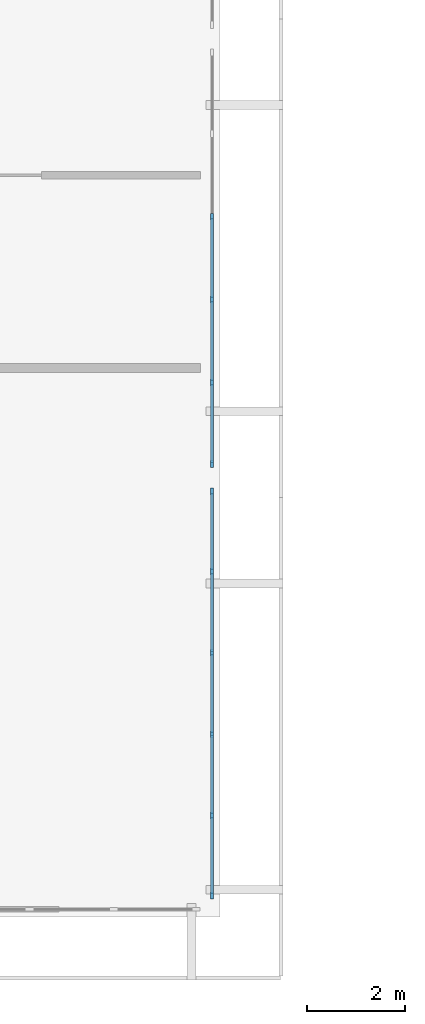
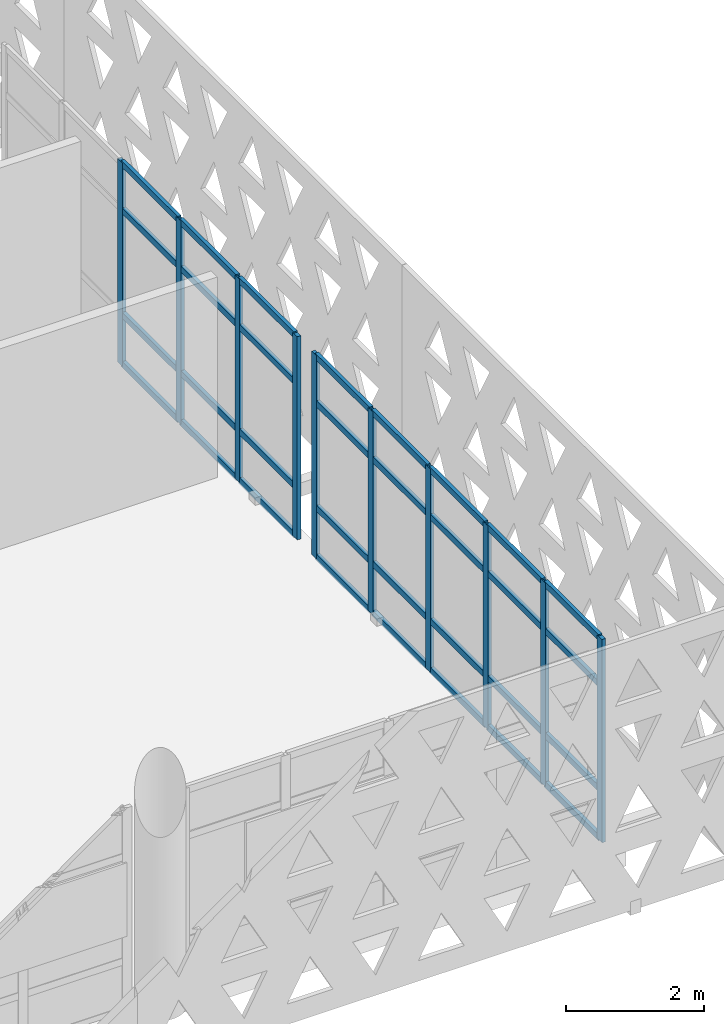
# One storey, part 14 of 33: 42 members, 2 elements without a shape of their own.
"""IFC4 building model written with IfcOpenShell, lengths in metres."""

from ifc_helpers import new_model, si_unit, direction, frame, origin, origin_2d, place, context, subcontext, project, spatial, rectangle, extrude, material, layer, layer_set, material_profile, profile_set, type_object, element, aggregate, save


model = new_model("IFC4")

# Units and contexts
model_context = context("Model", 3, precision=1e-05, world=origin(), true_north=direction((0.0, 1.0)))
body_context = subcontext(model_context, "Body", "Model", "MODEL_VIEW")
ifc_project = project(units=[si_unit("LENGTHUNIT", "METRE"), si_unit("AREAUNIT", "SQUARE_METRE"), si_unit("VOLUMEUNIT", "CUBIC_METRE"), si_unit("PLANEANGLEUNIT", "RADIAN"), si_unit("MASSUNIT", "GRAM", prefix="KILO")], contexts=[model_context])

# Site, building, storey
site_placement = place(None, origin())
site = spatial("IfcSite", under=ifc_project, at=site_placement, CompositionType="ELEMENT")
building_placement = place(site_placement, origin())
building = spatial("IfcBuilding", under=site, at=building_placement, Name="Tlacozan Convention Centre", CompositionType="ELEMENT")
storey_placement = place(building_placement, frame((0.0, 0.0, 16.199951171875)))
storey = spatial("IfcBuildingStorey", under=building, at=storey_placement, Name="L03", CompositionType="ELEMENT", Elevation=16.199951171875)

# Curtain wall, members
ifc_material = material(Name="Dark Bronze Anodised Aluminium", Category="aluminium")
ifc_layer = layer(ifc_material, 0.159912109375)
ifc_layer_set = layer_set([ifc_layer], Name="Dark Bronze Anodised Aluminium")
curtain_wall_type = type_object("IfcCurtainWallType", Name="Unitised Congress Gable End CW06", PredefinedType="NOTDEFINED", material=ifc_layer_set)
curtain_wall_1_placement = place(storey_placement, origin())
curtain_wall_1 = element("IfcCurtainWall", 1, at=curtain_wall_1_placement, inside=storey, type_object=curtain_wall_type, Name="L03 CW-06 Run 119", PredefinedType="NOTDEFINED")
ifc_material_profile_1 = material_profile(ifc_material, rectangle(XDim=0.06005859375, YDim=0.139892578125, at=origin_2d()), Name="ALU 60x140")
ifc_profile_set_1 = profile_set([ifc_material_profile_1], Name="Dark Bronze Anodised Aluminium")
member_type_1 = type_object("IfcMemberType", Name="Curtain Wall Light Mullion 60x140", PredefinedType="MULLION", material=ifc_profile_set_1)
member_1_placement = place(storey_placement, frame((119.639892578125, 0.43994140625, 0.0), z_axis=(0.0, 0.0, 1.0), x_axis=(-1.0, 0.0, 0.0)))
member_1 = element("IfcMember", 2, at=member_1_placement, type_object=member_type_1, Name="CW-06 mullion 1", PredefinedType="MULLION", context=body_context, shape_type="SweptSolid", body=[
    extrude(rectangle(XDim=0.06005859375, YDim=0.139892578125, at=origin_2d()), origin(), (0.0, 0.0, 1.0), 3.60009765625),
])
member_2_placement = place(storey_placement, frame((119.639892578125, 2.077880859375, 0.0), z_axis=(0.0, 0.0, 1.0), x_axis=(-1.0, 0.0, 0.0)))
member_2 = element("IfcMember", 3, at=member_2_placement, type_object=member_type_1, Name="CW-06 mullion 2", PredefinedType="MULLION", context=body_context, shape_type="SweptSolid", body=[
    extrude(rectangle(XDim=0.06005859375, YDim=0.139892578125, at=origin_2d()), origin(), (0.0, 0.0, 1.0), 3.60009765625),
])
member_3_placement = place(storey_placement, frame((119.639892578125, 3.74609375, 0.0), z_axis=(0.0, 0.0, 1.0), x_axis=(-1.0, 0.0, 0.0)))
member_3 = element("IfcMember", 4, at=member_3_placement, type_object=member_type_1, Name="CW-06 mullion 3", PredefinedType="MULLION", context=body_context, shape_type="SweptSolid", body=[
    extrude(rectangle(XDim=0.06005859375, YDim=0.139892578125, at=origin_2d()), origin(), (0.0, 0.0, 1.0), 3.60009765625),
])
member_4_placement = place(storey_placement, frame((119.639892578125, 5.4140625, 0.0), z_axis=(0.0, 0.0, 1.0), x_axis=(-1.0, 0.0, 0.0)))
member_4 = element("IfcMember", 5, at=member_4_placement, type_object=member_type_1, Name="CW-06 mullion 4", PredefinedType="MULLION", context=body_context, shape_type="SweptSolid", body=[
    extrude(rectangle(XDim=0.06005859375, YDim=0.139892578125, at=origin_2d()), origin(), (0.0, 0.0, 1.0), 3.60009765625),
])
member_5_placement = place(storey_placement, frame((119.639892578125, 7.08203125, 0.0), z_axis=(0.0, 0.0, 1.0), x_axis=(-1.0, 0.0, 0.0)))
member_5 = element("IfcMember", 6, at=member_5_placement, type_object=member_type_1, Name="CW-06 mullion 5", PredefinedType="MULLION", context=body_context, shape_type="SweptSolid", body=[
    extrude(rectangle(XDim=0.06005859375, YDim=0.139892578125, at=origin_2d()), origin(), (0.0, 0.0, 1.0), 3.60009765625),
])
member_6_placement = place(storey_placement, frame((119.639892578125, 8.719970703125, 0.0), z_axis=(0.0, 0.0, 1.0), x_axis=(-1.0, 0.0, 0.0)))
member_6 = element("IfcMember", 7, at=member_6_placement, type_object=member_type_1, Name="CW-06 mullion 6", PredefinedType="MULLION", context=body_context, shape_type="SweptSolid", body=[
    extrude(rectangle(XDim=0.06005859375, YDim=0.139892578125, at=origin_2d()), origin(), (0.0, 0.0, 1.0), 3.60009765625),
])

curtain_wall_2_placement = place(storey_placement, origin())
curtain_wall_2 = element("IfcCurtainWall", 8, at=curtain_wall_2_placement, inside=storey, type_object=curtain_wall_type, Name="L03 CW-06 Run 121", PredefinedType="NOTDEFINED")
member_7_placement = place(storey_placement, frame((119.639892578125, 9.280029296875, 0.0), z_axis=(0.0, 0.0, 1.0), x_axis=(-1.0, 0.0, 0.0)))
member_7 = element("IfcMember", 9, at=member_7_placement, type_object=member_type_1, Name="CW-06 mullion 1", PredefinedType="MULLION", context=body_context, shape_type="SweptSolid", body=[
    extrude(rectangle(XDim=0.06005859375, YDim=0.139892578125, at=origin_2d()), origin(), (0.0, 0.0, 1.0), 3.60009765625),
])
member_8_placement = place(storey_placement, frame((119.639892578125, 10.949951171875, 0.0), z_axis=(0.0, 0.0, 1.0), x_axis=(-1.0, 0.0, 0.0)))
member_8 = element("IfcMember", 10, at=member_8_placement, type_object=member_type_1, Name="CW-06 mullion 2", PredefinedType="MULLION", context=body_context, shape_type="SweptSolid", body=[
    extrude(rectangle(XDim=0.06005859375, YDim=0.139892578125, at=origin_2d()), origin(), (0.0, 0.0, 1.0), 3.60009765625),
])
member_9_placement = place(storey_placement, frame((119.639892578125, 12.64990234375, 0.0), z_axis=(0.0, 0.0, 1.0), x_axis=(-1.0, 0.0, 0.0)))
member_9 = element("IfcMember", 11, at=member_9_placement, type_object=member_type_1, Name="CW-06 mullion 3", PredefinedType="MULLION", context=body_context, shape_type="SweptSolid", body=[
    extrude(rectangle(XDim=0.06005859375, YDim=0.139892578125, at=origin_2d()), origin(), (0.0, 0.0, 1.0), 3.60009765625),
])
member_10_placement = place(storey_placement, frame((119.639892578125, 14.35009765625, 0.0), z_axis=(0.0, 0.0, 1.0), x_axis=(-1.0, 0.0, 0.0)))
member_10 = element("IfcMember", 12, at=member_10_placement, type_object=member_type_1, Name="CW-06 mullion 4", PredefinedType="MULLION", context=body_context, shape_type="SweptSolid", body=[
    extrude(rectangle(XDim=0.06005859375, YDim=0.139892578125, at=origin_2d()), origin(), (0.0, 0.0, 1.0), 3.60009765625),
])

# Member
ifc_material_profile_2 = material_profile(ifc_material, rectangle(XDim=0.06005859375, YDim=0.110107421875, at=origin_2d()), Name="ALU 60x110")
ifc_profile_set_2 = profile_set([ifc_material_profile_2], Name="Dark Bronze Anodised Aluminium")
member_type_2 = type_object("IfcMemberType", Name="Curtain Wall Light Transom 60x110", PredefinedType="USERDEFINED", material=ifc_profile_set_2)
member_11_placement = place(storey_placement, frame((119.639892578125, 0.469970703125, 0.030029296875), z_axis=(0.0, 1.0, 0.0), x_axis=(-1.0, 0.0, 0.0)))
member_11 = element("IfcMember", 13, at=member_11_placement, type_object=member_type_2, Name="CW-06 transom 1.1", ObjectType="TRANSOM", PredefinedType="USERDEFINED", context=body_context, shape_type="SweptSolid", body=[
    extrude(rectangle(XDim=0.06005859375, YDim=0.110107421875, at=origin_2d()), origin(), (0.0, 0.0, 1.0), 1.578125),
])

member_12_placement = place(storey_placement, frame((119.639892578125, 0.469970703125, 0.900146484375), z_axis=(0.0, 1.0, 0.0), x_axis=(-1.0, 0.0, 0.0)))
member_12 = element("IfcMember", 14, at=member_12_placement, type_object=member_type_2, Name="CW-06 transom 1.2", ObjectType="TRANSOM", PredefinedType="USERDEFINED", context=body_context, shape_type="SweptSolid", body=[
    extrude(rectangle(XDim=0.06005859375, YDim=0.110107421875, at=origin_2d()), origin(), (0.0, 0.0, 1.0), 1.578125),
])

member_13_placement = place(storey_placement, frame((119.639892578125, 0.469970703125, 2.75), z_axis=(0.0, 1.0, 0.0), x_axis=(-1.0, 0.0, 0.0)))
member_13 = element("IfcMember", 15, at=member_13_placement, type_object=member_type_2, Name="CW-06 transom 1.3", ObjectType="TRANSOM", PredefinedType="USERDEFINED", context=body_context, shape_type="SweptSolid", body=[
    extrude(rectangle(XDim=0.06005859375, YDim=0.110107421875, at=origin_2d()), origin(), (0.0, 0.0, 1.0), 1.578125),
])

member_14_placement = place(storey_placement, frame((119.639892578125, 0.469970703125, 3.570068359375), z_axis=(0.0, 1.0, 0.0), x_axis=(-1.0, 0.0, 0.0)))
member_14 = element("IfcMember", 16, at=member_14_placement, type_object=member_type_2, Name="CW-06 transom 1.4", ObjectType="TRANSOM", PredefinedType="USERDEFINED", context=body_context, shape_type="SweptSolid", body=[
    extrude(rectangle(XDim=0.06005859375, YDim=0.110107421875, at=origin_2d()), origin(), (0.0, 0.0, 1.0), 1.578125),
])

member_15_placement = place(storey_placement, frame((119.639892578125, 2.10791015625, 0.030029296875), z_axis=(0.0, 1.0, 0.0), x_axis=(-1.0, 0.0, 0.0)))
member_15 = element("IfcMember", 17, at=member_15_placement, type_object=member_type_2, Name="CW-06 transom 2.1", ObjectType="TRANSOM", PredefinedType="USERDEFINED", context=body_context, shape_type="SweptSolid", body=[
    extrude(rectangle(XDim=0.06005859375, YDim=0.110107421875, at=origin_2d()), origin(), (0.0, 0.0, 1.0), 1.608154296875),
])

member_16_placement = place(storey_placement, frame((119.639892578125, 2.10791015625, 0.900146484375), z_axis=(0.0, 1.0, 0.0), x_axis=(-1.0, 0.0, 0.0)))
member_16 = element("IfcMember", 18, at=member_16_placement, type_object=member_type_2, Name="CW-06 transom 2.2", ObjectType="TRANSOM", PredefinedType="USERDEFINED", context=body_context, shape_type="SweptSolid", body=[
    extrude(rectangle(XDim=0.06005859375, YDim=0.110107421875, at=origin_2d()), origin(), (0.0, 0.0, 1.0), 1.608154296875),
])

member_17_placement = place(storey_placement, frame((119.639892578125, 2.10791015625, 2.75), z_axis=(0.0, 1.0, 0.0), x_axis=(-1.0, 0.0, 0.0)))
member_17 = element("IfcMember", 19, at=member_17_placement, type_object=member_type_2, Name="CW-06 transom 2.3", ObjectType="TRANSOM", PredefinedType="USERDEFINED", context=body_context, shape_type="SweptSolid", body=[
    extrude(rectangle(XDim=0.06005859375, YDim=0.110107421875, at=origin_2d()), origin(), (0.0, 0.0, 1.0), 1.608154296875),
])

member_18_placement = place(storey_placement, frame((119.639892578125, 2.10791015625, 3.570068359375), z_axis=(0.0, 1.0, 0.0), x_axis=(-1.0, 0.0, 0.0)))
member_18 = element("IfcMember", 20, at=member_18_placement, type_object=member_type_2, Name="CW-06 transom 2.4", ObjectType="TRANSOM", PredefinedType="USERDEFINED", context=body_context, shape_type="SweptSolid", body=[
    extrude(rectangle(XDim=0.06005859375, YDim=0.110107421875, at=origin_2d()), origin(), (0.0, 0.0, 1.0), 1.608154296875),
])

member_19_placement = place(storey_placement, frame((119.639892578125, 3.77587890625, 0.030029296875), z_axis=(0.0, 1.0, 0.0), x_axis=(-1.0, 0.0, 0.0)))
member_19 = element("IfcMember", 21, at=member_19_placement, type_object=member_type_2, Name="CW-06 transom 3.1", ObjectType="TRANSOM", PredefinedType="USERDEFINED", context=body_context, shape_type="SweptSolid", body=[
    extrude(rectangle(XDim=0.06005859375, YDim=0.110107421875, at=origin_2d()), origin(), (0.0, 0.0, 1.0), 1.608154296875),
])

member_20_placement = place(storey_placement, frame((119.639892578125, 3.77587890625, 0.900146484375), z_axis=(0.0, 1.0, 0.0), x_axis=(-1.0, 0.0, 0.0)))
member_20 = element("IfcMember", 22, at=member_20_placement, type_object=member_type_2, Name="CW-06 transom 3.2", ObjectType="TRANSOM", PredefinedType="USERDEFINED", context=body_context, shape_type="SweptSolid", body=[
    extrude(rectangle(XDim=0.06005859375, YDim=0.110107421875, at=origin_2d()), origin(), (0.0, 0.0, 1.0), 1.608154296875),
])

member_21_placement = place(storey_placement, frame((119.639892578125, 3.77587890625, 2.75), z_axis=(0.0, 1.0, 0.0), x_axis=(-1.0, 0.0, 0.0)))
member_21 = element("IfcMember", 23, at=member_21_placement, type_object=member_type_2, Name="CW-06 transom 3.3", ObjectType="TRANSOM", PredefinedType="USERDEFINED", context=body_context, shape_type="SweptSolid", body=[
    extrude(rectangle(XDim=0.06005859375, YDim=0.110107421875, at=origin_2d()), origin(), (0.0, 0.0, 1.0), 1.608154296875),
])

member_22_placement = place(storey_placement, frame((119.639892578125, 3.77587890625, 3.570068359375), z_axis=(0.0, 1.0, 0.0), x_axis=(-1.0, 0.0, 0.0)))
member_22 = element("IfcMember", 24, at=member_22_placement, type_object=member_type_2, Name="CW-06 transom 3.4", ObjectType="TRANSOM", PredefinedType="USERDEFINED", context=body_context, shape_type="SweptSolid", body=[
    extrude(rectangle(XDim=0.06005859375, YDim=0.110107421875, at=origin_2d()), origin(), (0.0, 0.0, 1.0), 1.608154296875),
])

member_23_placement = place(storey_placement, frame((119.639892578125, 5.444091796875, 0.030029296875), z_axis=(0.0, 1.0, 0.0), x_axis=(-1.0, 0.0, 0.0)))
member_23 = element("IfcMember", 25, at=member_23_placement, type_object=member_type_2, Name="CW-06 transom 4.1", ObjectType="TRANSOM", PredefinedType="USERDEFINED", context=body_context, shape_type="SweptSolid", body=[
    extrude(rectangle(XDim=0.06005859375, YDim=0.110107421875, at=origin_2d()), origin(), (0.0, 0.0, 1.0), 1.60791015625),
])

member_24_placement = place(storey_placement, frame((119.639892578125, 5.444091796875, 0.900146484375), z_axis=(0.0, 1.0, 0.0), x_axis=(-1.0, 0.0, 0.0)))
member_24 = element("IfcMember", 26, at=member_24_placement, type_object=member_type_2, Name="CW-06 transom 4.2", ObjectType="TRANSOM", PredefinedType="USERDEFINED", context=body_context, shape_type="SweptSolid", body=[
    extrude(rectangle(XDim=0.06005859375, YDim=0.110107421875, at=origin_2d()), origin(), (0.0, 0.0, 1.0), 1.60791015625),
])

member_25_placement = place(storey_placement, frame((119.639892578125, 5.444091796875, 2.75), z_axis=(0.0, 1.0, 0.0), x_axis=(-1.0, 0.0, 0.0)))
member_25 = element("IfcMember", 27, at=member_25_placement, type_object=member_type_2, Name="CW-06 transom 4.3", ObjectType="TRANSOM", PredefinedType="USERDEFINED", context=body_context, shape_type="SweptSolid", body=[
    extrude(rectangle(XDim=0.06005859375, YDim=0.110107421875, at=origin_2d()), origin(), (0.0, 0.0, 1.0), 1.60791015625),
])

member_26_placement = place(storey_placement, frame((119.639892578125, 5.444091796875, 3.570068359375), z_axis=(0.0, 1.0, 0.0), x_axis=(-1.0, 0.0, 0.0)))
member_26 = element("IfcMember", 28, at=member_26_placement, type_object=member_type_2, Name="CW-06 transom 4.4", ObjectType="TRANSOM", PredefinedType="USERDEFINED", context=body_context, shape_type="SweptSolid", body=[
    extrude(rectangle(XDim=0.06005859375, YDim=0.110107421875, at=origin_2d()), origin(), (0.0, 0.0, 1.0), 1.60791015625),
])

member_27_placement = place(storey_placement, frame((119.639892578125, 7.112060546875, 0.030029296875), z_axis=(0.0, 1.0, 0.0), x_axis=(-1.0, 0.0, 0.0)))
member_27 = element("IfcMember", 29, at=member_27_placement, type_object=member_type_2, Name="CW-06 transom 5.1", ObjectType="TRANSOM", PredefinedType="USERDEFINED", context=body_context, shape_type="SweptSolid", body=[
    extrude(rectangle(XDim=0.06005859375, YDim=0.110107421875, at=origin_2d()), origin(), (0.0, 0.0, 1.0), 1.577880859375),
])

member_28_placement = place(storey_placement, frame((119.639892578125, 7.112060546875, 0.900146484375), z_axis=(0.0, 1.0, 0.0), x_axis=(-1.0, 0.0, 0.0)))
member_28 = element("IfcMember", 30, at=member_28_placement, type_object=member_type_2, Name="CW-06 transom 5.2", ObjectType="TRANSOM", PredefinedType="USERDEFINED", context=body_context, shape_type="SweptSolid", body=[
    extrude(rectangle(XDim=0.06005859375, YDim=0.110107421875, at=origin_2d()), origin(), (0.0, 0.0, 1.0), 1.577880859375),
])

member_29_placement = place(storey_placement, frame((119.639892578125, 7.112060546875, 2.75), z_axis=(0.0, 1.0, 0.0), x_axis=(-1.0, 0.0, 0.0)))
member_29 = element("IfcMember", 31, at=member_29_placement, type_object=member_type_2, Name="CW-06 transom 5.3", ObjectType="TRANSOM", PredefinedType="USERDEFINED", context=body_context, shape_type="SweptSolid", body=[
    extrude(rectangle(XDim=0.06005859375, YDim=0.110107421875, at=origin_2d()), origin(), (0.0, 0.0, 1.0), 1.577880859375),
])

member_30_placement = place(storey_placement, frame((119.639892578125, 7.112060546875, 3.570068359375), z_axis=(0.0, 1.0, 0.0), x_axis=(-1.0, 0.0, 0.0)))
member_30 = element("IfcMember", 32, at=member_30_placement, type_object=member_type_2, Name="CW-06 transom 5.4", ObjectType="TRANSOM", PredefinedType="USERDEFINED", context=body_context, shape_type="SweptSolid", body=[
    extrude(rectangle(XDim=0.06005859375, YDim=0.110107421875, at=origin_2d()), origin(), (0.0, 0.0, 1.0), 1.577880859375),
])

aggregate(curtain_wall_1, [member_1, member_2, member_3, member_4, member_5, member_6, member_11, member_12, member_13, member_14, member_15, member_16, member_17, member_18, member_19, member_20, member_21, member_22, member_23, member_24, member_25, member_26, member_27, member_28, member_29, member_30])

member_31_placement = place(storey_placement, frame((119.639892578125, 9.31005859375, 0.030029296875), z_axis=(0.0, 1.0, 0.0), x_axis=(-1.0, 0.0, 0.0)))
member_31 = element("IfcMember", 33, at=member_31_placement, type_object=member_type_2, Name="CW-06 transom 1.1", ObjectType="TRANSOM", PredefinedType="USERDEFINED", context=body_context, shape_type="SweptSolid", body=[
    extrude(rectangle(XDim=0.06005859375, YDim=0.110107421875, at=origin_2d()), origin(), (0.0, 0.0, 1.0), 1.60986328125),
])

member_32_placement = place(storey_placement, frame((119.639892578125, 9.31005859375, 0.900146484375), z_axis=(0.0, 1.0, 0.0), x_axis=(-1.0, 0.0, 0.0)))
member_32 = element("IfcMember", 34, at=member_32_placement, type_object=member_type_2, Name="CW-06 transom 1.2", ObjectType="TRANSOM", PredefinedType="USERDEFINED", context=body_context, shape_type="SweptSolid", body=[
    extrude(rectangle(XDim=0.06005859375, YDim=0.110107421875, at=origin_2d()), origin(), (0.0, 0.0, 1.0), 1.60986328125),
])

member_33_placement = place(storey_placement, frame((119.639892578125, 9.31005859375, 2.75), z_axis=(0.0, 1.0, 0.0), x_axis=(-1.0, 0.0, 0.0)))
member_33 = element("IfcMember", 35, at=member_33_placement, type_object=member_type_2, Name="CW-06 transom 1.3", ObjectType="TRANSOM", PredefinedType="USERDEFINED", context=body_context, shape_type="SweptSolid", body=[
    extrude(rectangle(XDim=0.06005859375, YDim=0.110107421875, at=origin_2d()), origin(), (0.0, 0.0, 1.0), 1.60986328125),
])

member_34_placement = place(storey_placement, frame((119.639892578125, 9.31005859375, 3.570068359375), z_axis=(0.0, 1.0, 0.0), x_axis=(-1.0, 0.0, 0.0)))
member_34 = element("IfcMember", 36, at=member_34_placement, type_object=member_type_2, Name="CW-06 transom 1.4", ObjectType="TRANSOM", PredefinedType="USERDEFINED", context=body_context, shape_type="SweptSolid", body=[
    extrude(rectangle(XDim=0.06005859375, YDim=0.110107421875, at=origin_2d()), origin(), (0.0, 0.0, 1.0), 1.60986328125),
])

member_35_placement = place(storey_placement, frame((119.639892578125, 10.97998046875, 0.030029296875), z_axis=(0.0, 1.0, 0.0), x_axis=(-1.0, 0.0, 0.0)))
member_35 = element("IfcMember", 37, at=member_35_placement, type_object=member_type_2, Name="CW-06 transom 2.1", ObjectType="TRANSOM", PredefinedType="USERDEFINED", context=body_context, shape_type="SweptSolid", body=[
    extrude(rectangle(XDim=0.06005859375, YDim=0.110107421875, at=origin_2d()), origin(), (0.0, 0.0, 1.0), 1.64013671875),
])

member_36_placement = place(storey_placement, frame((119.639892578125, 10.97998046875, 0.900146484375), z_axis=(0.0, 1.0, 0.0), x_axis=(-1.0, 0.0, 0.0)))
member_36 = element("IfcMember", 38, at=member_36_placement, type_object=member_type_2, Name="CW-06 transom 2.2", ObjectType="TRANSOM", PredefinedType="USERDEFINED", context=body_context, shape_type="SweptSolid", body=[
    extrude(rectangle(XDim=0.06005859375, YDim=0.110107421875, at=origin_2d()), origin(), (0.0, 0.0, 1.0), 1.64013671875),
])

member_37_placement = place(storey_placement, frame((119.639892578125, 10.97998046875, 2.75), z_axis=(0.0, 1.0, 0.0), x_axis=(-1.0, 0.0, 0.0)))
member_37 = element("IfcMember", 39, at=member_37_placement, type_object=member_type_2, Name="CW-06 transom 2.3", ObjectType="TRANSOM", PredefinedType="USERDEFINED", context=body_context, shape_type="SweptSolid", body=[
    extrude(rectangle(XDim=0.06005859375, YDim=0.110107421875, at=origin_2d()), origin(), (0.0, 0.0, 1.0), 1.64013671875),
])

member_38_placement = place(storey_placement, frame((119.639892578125, 10.97998046875, 3.570068359375), z_axis=(0.0, 1.0, 0.0), x_axis=(-1.0, 0.0, 0.0)))
member_38 = element("IfcMember", 40, at=member_38_placement, type_object=member_type_2, Name="CW-06 transom 2.4", ObjectType="TRANSOM", PredefinedType="USERDEFINED", context=body_context, shape_type="SweptSolid", body=[
    extrude(rectangle(XDim=0.06005859375, YDim=0.110107421875, at=origin_2d()), origin(), (0.0, 0.0, 1.0), 1.64013671875),
])

member_39_placement = place(storey_placement, frame((119.639892578125, 12.679931640625, 0.030029296875), z_axis=(0.0, 1.0, 0.0), x_axis=(-1.0, 0.0, 0.0)))
member_39 = element("IfcMember", 41, at=member_39_placement, type_object=member_type_2, Name="CW-06 transom 3.1", ObjectType="TRANSOM", PredefinedType="USERDEFINED", context=body_context, shape_type="SweptSolid", body=[
    extrude(rectangle(XDim=0.06005859375, YDim=0.110107421875, at=origin_2d()), origin(), (0.0, 0.0, 1.0), 1.64013671875),
])

member_40_placement = place(storey_placement, frame((119.639892578125, 12.679931640625, 0.900146484375), z_axis=(0.0, 1.0, 0.0), x_axis=(-1.0, 0.0, 0.0)))
member_40 = element("IfcMember", 42, at=member_40_placement, type_object=member_type_2, Name="CW-06 transom 3.2", ObjectType="TRANSOM", PredefinedType="USERDEFINED", context=body_context, shape_type="SweptSolid", body=[
    extrude(rectangle(XDim=0.06005859375, YDim=0.110107421875, at=origin_2d()), origin(), (0.0, 0.0, 1.0), 1.64013671875),
])

member_41_placement = place(storey_placement, frame((119.639892578125, 12.679931640625, 2.75), z_axis=(0.0, 1.0, 0.0), x_axis=(-1.0, 0.0, 0.0)))
member_41 = element("IfcMember", 43, at=member_41_placement, type_object=member_type_2, Name="CW-06 transom 3.3", ObjectType="TRANSOM", PredefinedType="USERDEFINED", context=body_context, shape_type="SweptSolid", body=[
    extrude(rectangle(XDim=0.06005859375, YDim=0.110107421875, at=origin_2d()), origin(), (0.0, 0.0, 1.0), 1.64013671875),
])

member_42_placement = place(storey_placement, frame((119.639892578125, 12.679931640625, 3.570068359375), z_axis=(0.0, 1.0, 0.0), x_axis=(-1.0, 0.0, 0.0)))
member_42 = element("IfcMember", 44, at=member_42_placement, type_object=member_type_2, Name="CW-06 transom 3.4", ObjectType="TRANSOM", PredefinedType="USERDEFINED", context=body_context, shape_type="SweptSolid", body=[
    extrude(rectangle(XDim=0.06005859375, YDim=0.110107421875, at=origin_2d()), origin(), (0.0, 0.0, 1.0), 1.64013671875),
])

aggregate(curtain_wall_2, [member_7, member_8, member_9, member_10, member_31, member_32, member_33, member_34, member_35, member_36, member_37, member_38, member_39, member_40, member_41, member_42])

save(model, "model.ifc")
